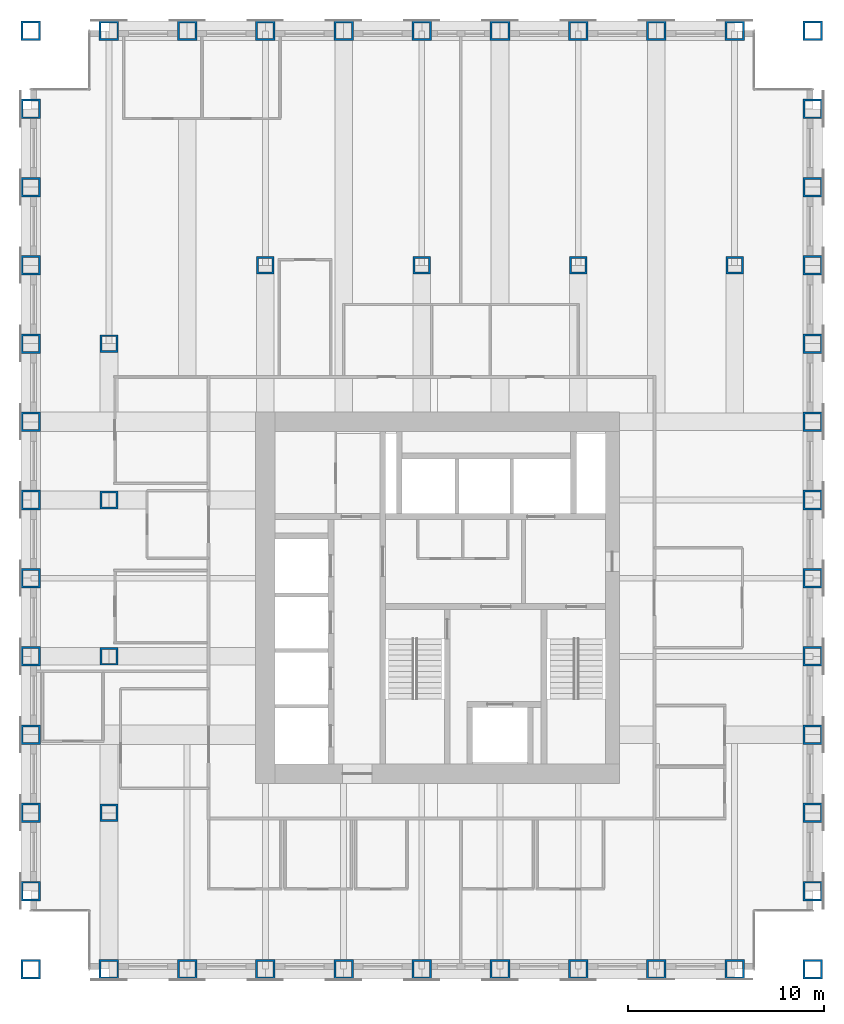
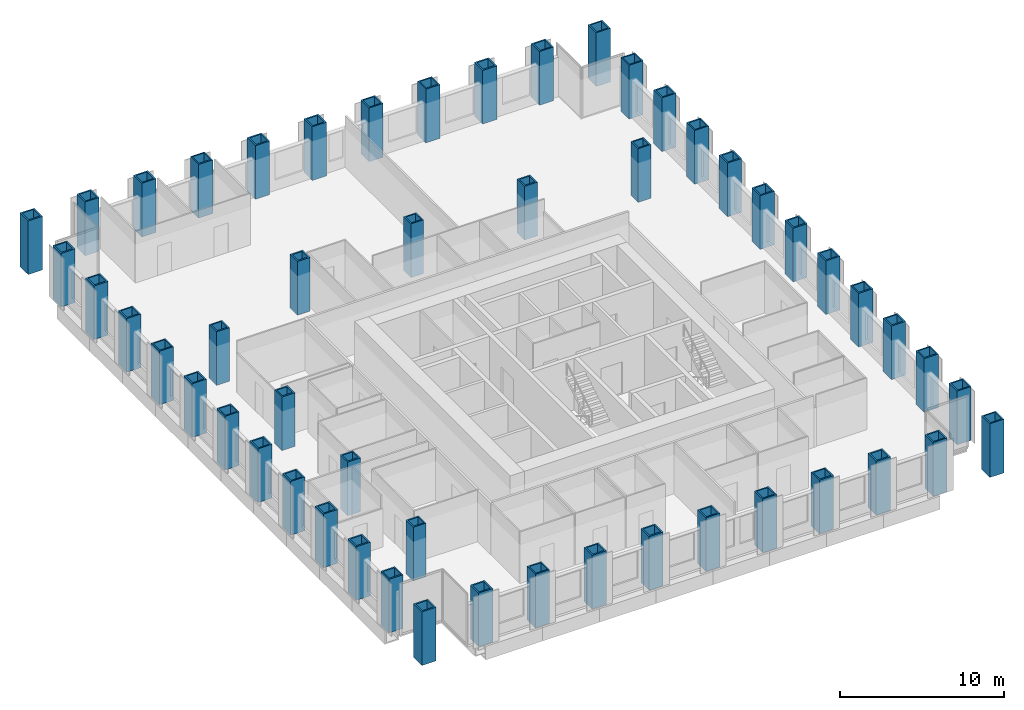
# One storey, part 1 of 14: 52 columns.
"""IFC4 building model written with IfcOpenShell, lengths in metres."""

from ifc_helpers import new_model, si_unit, direction, frame, origin, origin_2d, place, context, subcontext, project, spatial, hollow_rectangle, extrude, material, material_profile, profile_set, type_object, element, save


model = new_model("IFC4")

# Units and contexts
model_context = context("Model", 3, precision=1e-05, world=origin(), true_north=direction((0.0, 1.0)))
body_context = subcontext(model_context, "Body", "Model", "MODEL_VIEW")
ifc_project = project(units=[si_unit("LENGTHUNIT", "METRE"), si_unit("AREAUNIT", "SQUARE_METRE"), si_unit("VOLUMEUNIT", "CUBIC_METRE"), si_unit("PLANEANGLEUNIT", "RADIAN"), si_unit("MASSUNIT", "GRAM", prefix="KILO")], contexts=[model_context])

# Site, building, storey
site_placement = place(None, origin())
site = spatial("IfcSite", under=ifc_project, at=site_placement, CompositionType="ELEMENT")
building_placement = place(site_placement, origin())
building = spatial("IfcBuilding", under=site, at=building_placement, Name="Rimbunsela Tower", CompositionType="ELEMENT")
storey_placement = place(building_placement, frame((0.0, 0.0, 183.800048828125)))
storey = spatial("IfcBuildingStorey", under=building, at=storey_placement, Name="L44", CompositionType="ELEMENT", Elevation=183.800048828125)

# Columns
ifc_material_1 = material(Name="Steel BJ 55 (fy 410 MPa)", Category="steel")
ifc_material_profile_1 = material_profile(ifc_material_1, hollow_rectangle(XDim=1.0, YDim=1.0, WallThickness=0.10009765625, at=origin_2d()), Name="BOX 1000x1000x100")
ifc_profile_set_1 = profile_set([ifc_material_profile_1], Name="Steel BJ 55 (fy 410 MPa)")
column_type_1 = type_object("IfcColumnType", Name="Column BOX 1000x1000x100", PredefinedType="COLUMN", material=ifc_profile_set_1)
for number, where, z_axis, x_axis, name in (
    (1, (6.0, 8.0, 0.0), (0.0, 0.0, 1.0), (1.0, 0.0, 0.0), "Column C1 4/D L44"),
    (2, (6.0, 12.0, 0.0), (0.0, 0.0, 1.0), (1.0, 0.0, 0.0), "Column C1 4/E L44"),
    (3, (6.0, 16.0, 0.0), (0.0, 0.0, 1.0), (1.0, 0.0, 0.0), "Column C1 4/F L44"),
    (4, (6.0, 20.0, 0.0), (0.0, 0.0, 1.0), (1.0, 0.0, 0.0), "Column C1 4/G L44"),
    (5, (6.0, 24.0, 0.0), (0.0, 0.0, 1.0), (1.0, 0.0, 0.0), "Column C1 4/H L44"),
    (6, (6.0, 28.0, 0.0), (0.0, 0.0, 1.0), (1.0, 0.0, 0.0), "Column C1 4/J L44"),
    (7, (6.0, 32.0, 0.0), (0.0, 0.0, 1.0), (1.0, 0.0, 0.0), "Column C1 4/K L44"),
    (8, (6.0, 36.0, 0.0), (0.0, 0.0, 1.0), (1.0, 0.0, 0.0), "Column C1 4/L L44"),
    (9, (6.0, 40.0, 0.0), (0.0, 0.0, 1.0), (1.0, 0.0, 0.0), "Column C1 4/M L44"),
    (10, (6.0, 44.0, 0.0), (0.0, 0.0, 1.0), (1.0, 0.0, 0.0), "Column C1 4/N L44"),
    (11, (6.0, 48.0, 0.0), (0.0, 0.0, 1.0), (1.0, 0.0, 0.0), "Column C1 4/P L44"),
    (12, (6.0, 52.0, 0.0), (0.0, 0.0, 1.0), (1.0, 0.0, 0.0), "Column C1 4/Q L44"),
    (13, (6.0, 56.0, 0.0), (0.0, 0.0, 1.0), (1.0, 0.0, 0.0), "Column C1 4/R L44"),
    (14, (10.0, 8.0, 0.0), (0.0, 0.0, 1.0), (1.0, 0.0, 0.0), "Column C1 5/D L44"),
    (15, (10.0, 56.0, 0.0), (0.0, 0.0, 1.0), (1.0, 0.0, 0.0), "Column C1 5/R L44"),
    (16, (14.0, 8.0, 0.0), (0.0, 0.0, 1.0), (1.0, 0.0, 0.0), "Column C1 6/D L44"),
    (17, (14.0, 56.0, 0.0), (0.0, 0.0, 1.0), (1.0, 0.0, 0.0), "Column C1 6/R L44"),
    (18, (18.0, 8.0, 0.0), (0.0, 0.0, 1.0), (1.0, 0.0, 0.0), "Column C1 7/D L44"),
    (19, (18.0, 56.0, 0.0), (0.0, 0.0, 1.0), (1.0, 0.0, 0.0), "Column C1 7/R L44"),
    (20, (22.0, 8.0, 0.0), (0.0, 0.0, 1.0), (1.0, 0.0, 0.0), "Column C1 8/D L44"),
    (21, (22.0, 56.0, 0.0), (0.0, 0.0, 1.0), (1.0, 0.0, 0.0), "Column C1 8/R L44"),
    (22, (26.0, 8.0, 0.0), (0.0, 0.0, 1.0), (1.0, 0.0, 0.0), "Column C1 9/D L44"),
    (23, (26.0, 56.0, 0.0), (0.0, 0.0, 1.0), (1.0, 0.0, 0.0), "Column C1 9/R L44"),
    (24, (30.0, 8.0, 0.0), (0.0, 0.0, 1.0), (1.0, 0.0, 0.0), "Column C1 10/D L44"),
    (25, (30.0, 56.0, 0.0), (0.0, 0.0, 1.0), (1.0, 0.0, 0.0), "Column C1 10/R L44"),
    (26, (34.0, 8.0, 0.0), (0.0, 0.0, 1.0), (1.0, 0.0, 0.0), "Column C1 11/D L44"),
    (27, (34.0, 56.0, 0.0), (0.0, 0.0, 1.0), (1.0, 0.0, 0.0), "Column C1 11/R L44"),
    (28, (38.0, 8.0, 0.0), (0.0, 0.0, 1.0), (1.0, 0.0, 0.0), "Column C1 12/D L44"),
    (29, (38.0, 56.0, 0.0), (0.0, 0.0, 1.0), (1.0, 0.0, 0.0), "Column C1 12/R L44"),
    (30, (42.0, 8.0, 0.0), (0.0, 0.0, 1.0), (1.0, 0.0, 0.0), "Column C1 13/D L44"),
    (31, (42.0, 56.0, 0.0), (0.0, 0.0, 1.0), (1.0, 0.0, 0.0), "Column C1 13/R L44"),
    (32, (46.0, 8.0, 0.0), (0.0, 0.0, 1.0), (1.0, 0.0, 0.0), "Column C1 14/D L44"),
    (33, (46.0, 12.0, 0.0), (0.0, 0.0, 1.0), (1.0, 0.0, 0.0), "Column C1 14/E L44"),
    (34, (46.0, 16.0, 0.0), (0.0, 0.0, 1.0), (1.0, 0.0, 0.0), "Column C1 14/F L44"),
    (35, (46.0, 20.0, 0.0), (0.0, 0.0, 1.0), (1.0, 0.0, 0.0), "Column C1 14/G L44"),
    (36, (46.0, 24.0, 0.0), (0.0, 0.0, 1.0), (1.0, 0.0, 0.0), "Column C1 14/H L44"),
    (37, (46.0, 28.0, 0.0), (0.0, 0.0, 1.0), (1.0, 0.0, 0.0), "Column C1 14/J L44"),
    (38, (46.0, 32.0, 0.0), (0.0, 0.0, 1.0), (1.0, 0.0, 0.0), "Column C1 14/K L44"),
    (39, (46.0, 36.0, 0.0), (0.0, 0.0, 1.0), (1.0, 0.0, 0.0), "Column C1 14/L L44"),
    (40, (46.0, 40.0, 0.0), (0.0, 0.0, 1.0), (1.0, 0.0, 0.0), "Column C1 14/M L44"),
    (41, (46.0, 44.0, 0.0), (0.0, 0.0, 1.0), (1.0, 0.0, 0.0), "Column C1 14/N L44"),
    (42, (46.0, 48.0, 0.0), (0.0, 0.0, 1.0), (1.0, 0.0, 0.0), "Column C1 14/P L44"),
    (43, (46.0, 52.0, 0.0), (0.0, 0.0, 1.0), (1.0, 0.0, 0.0), "Column C1 14/Q L44"),
    (44, (46.0, 56.0, 0.0), (0.0, 0.0, 1.0), (1.0, 0.0, 0.0), "Column C1 14/R L44"),
):
    element("IfcColumn", number, at=place(storey_placement, frame(where, z_axis=z_axis, x_axis=x_axis)), inside=storey, type_object=column_type_1, Name=name, PredefinedType="COLUMN", context=body_context, shape_type="SweptSolid", body=[
        extrude(hollow_rectangle(XDim=1.0, YDim=1.0, WallThickness=0.10009765625, at=origin_2d()), origin(), (0.0, 0.0, 1.0), 4.0),
    ])
ifc_material_2 = material(Name="Steel BJ 55 (fy 410 MPa)", Category="steel")
ifc_material_profile_2 = material_profile(ifc_material_2, hollow_rectangle(XDim=0.89990234375, YDim=0.89990234375, WallThickness=0.10009765625, at=origin_2d()), Name="BOX 900x900x100")
ifc_profile_set_2 = profile_set([ifc_material_profile_2], Name="Steel BJ 55 (fy 410 MPa)")
column_type_2 = type_object("IfcColumnType", Name="Column BOX 900x900x100", PredefinedType="COLUMN", material=ifc_profile_set_2)
for number, where, z_axis, x_axis, name in (
    (45, (10.0, 16.0, 0.0), (0.0, 0.0, 1.0), (1.0, 0.0, 0.0), "Column C5 5/F L44"),
    (46, (10.0, 24.0, 0.0), (0.0, 0.0, 1.0), (1.0, 0.0, 0.0), "Column C5 5/H L44"),
    (47, (10.0, 32.0, 0.0), (0.0, 0.0, 1.0), (1.0, 0.0, 0.0), "Column C5 5/K L44"),
    (48, (10.0, 40.0, 0.0), (0.0, 0.0, 1.0), (1.0, 0.0, 0.0), "Column C5 5/M L44"),
    (49, (18.0, 44.0, 0.0), (0.0, 0.0, 1.0), (1.0, 0.0, 0.0), "Column C5 7/N L44"),
    (50, (26.0, 44.0, 0.0), (0.0, 0.0, 1.0), (1.0, 0.0, 0.0), "Column C5 9/N L44"),
    (51, (34.0, 44.0, 0.0), (0.0, 0.0, 1.0), (1.0, 0.0, 0.0), "Column C5 11/N L44"),
    (52, (42.0, 44.0, 0.0), (0.0, 0.0, 1.0), (1.0, 0.0, 0.0), "Column C5 13/N L44"),
):
    element("IfcColumn", number, at=place(storey_placement, frame(where, z_axis=z_axis, x_axis=x_axis)), inside=storey, type_object=column_type_2, Name=name, PredefinedType="COLUMN", context=body_context, shape_type="SweptSolid", body=[
        extrude(hollow_rectangle(XDim=0.89990234375, YDim=0.89990234375, WallThickness=0.10009765625, at=origin_2d()), origin(), (0.0, 0.0, 1.0), 4.0),
    ])

save(model, "model.ifc")
